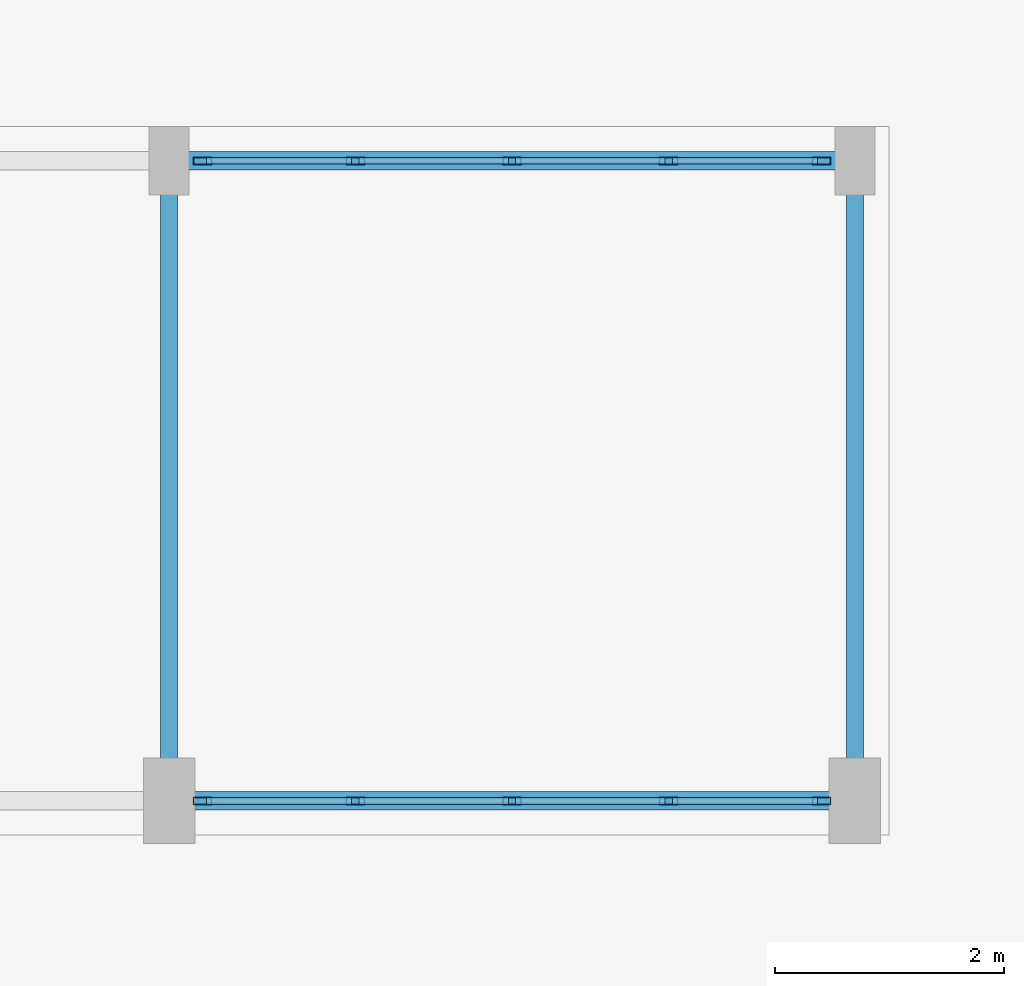
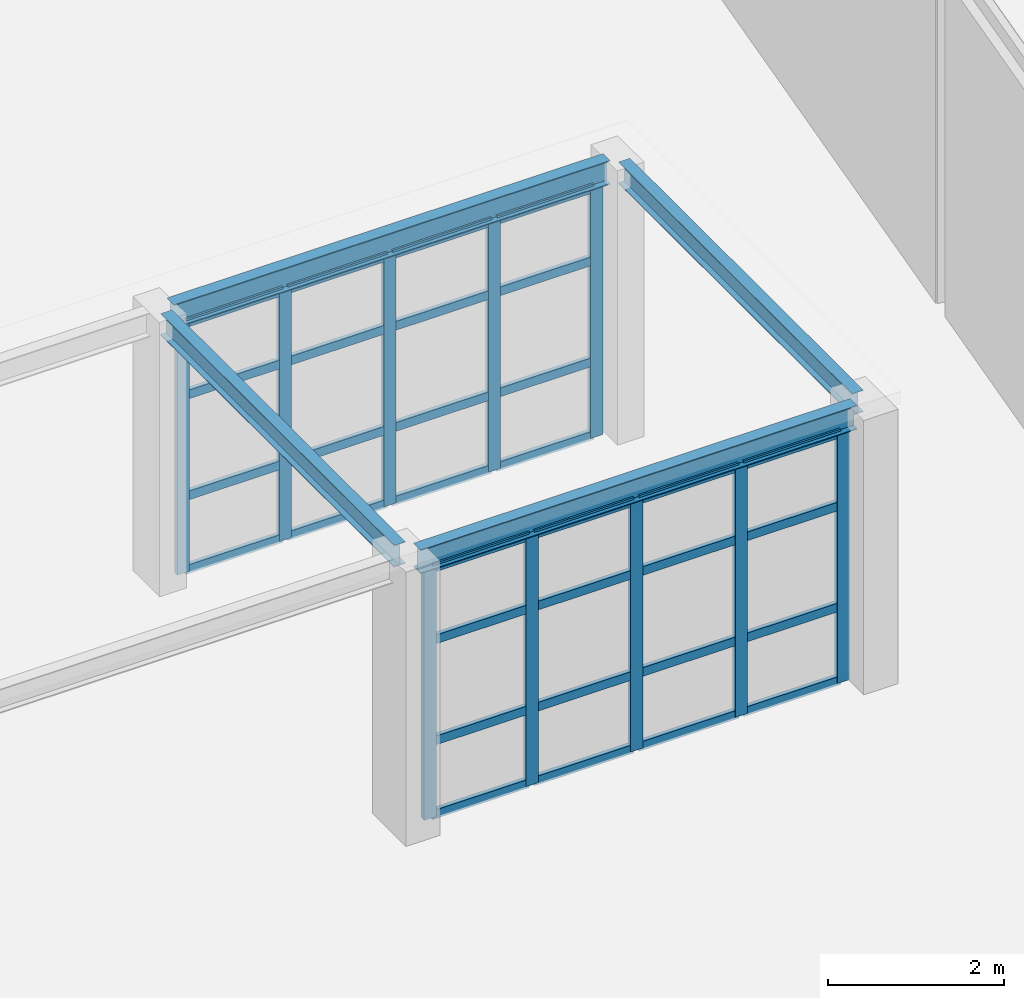
# One storey, part 20 of 57: 42 members, 4 beams, 2 elements without a shape of their own.
"""IFC4 building model written with IfcOpenShell, lengths in metres."""

from ifc_helpers import new_model, si_unit, direction, frame, origin, origin_2d, place, context, subcontext, project, spatial, hollow_rectangle, i_section, extrude, material, layer, layer_set, material_profile, profile_set, type_object, element, aggregate, save


model = new_model("IFC4")

# Units and contexts
model_context = context("Model", 3, precision=1e-05, world=origin(), true_north=direction((0.0, 1.0)))
body_context = subcontext(model_context, "Body", "Model", "MODEL_VIEW")
ifc_project = project(units=[si_unit("LENGTHUNIT", "METRE"), si_unit("AREAUNIT", "SQUARE_METRE"), si_unit("VOLUMEUNIT", "CUBIC_METRE"), si_unit("PLANEANGLEUNIT", "RADIAN"), si_unit("MASSUNIT", "GRAM", prefix="KILO")], contexts=[model_context])

# Site, building, storey
site_placement = place(None, origin())
site = spatial("IfcSite", under=ifc_project, at=site_placement, CompositionType="ELEMENT")
building_placement = place(site_placement, origin())
building = spatial("IfcBuilding", under=site, at=building_placement, Name="Kharisveld Research Institute", CompositionType="ELEMENT")
storey_placement = place(building_placement, origin())
storey = spatial("IfcBuildingStorey", under=building, at=storey_placement, Name="L00", CompositionType="ELEMENT", Elevation=0.0)

# Beams
ifc_material_1 = material(Name="Steel S355JR", Category="steel")
ifc_material_profile_1 = material_profile(ifc_material_1, i_section(OverallWidth=0.14990234375, OverallDepth=0.300048828125, WebThickness=0.007080078125, FlangeThickness=0.0107421875, at=origin_2d()))
ifc_profile_set_1 = profile_set([ifc_material_profile_1], Name="Steel S355JR")
beam_type_1 = type_object("IfcBeamType", Name="BM_ST_IPE300", PredefinedType="BEAM", material=ifc_profile_set_1)
for number, where, z_axis, x_axis, name in (
    (1, (66.5, 26.14990234375, 3.64990234375), (0.0, 1.0, 0.0), (-1.0, 0.0, 0.0), "BM:ARC:L00:TR_4"),
    (2, (72.5, 26.14990234375, 3.64990234375), (0.0, 1.0, 0.0), (-1.0, 0.0, 0.0), "BM:ARC:L00:TR_5"),
):
    element("IfcBeam", number, at=place(storey_placement, frame(where, z_axis=z_axis, x_axis=x_axis)), inside=storey, type_object=beam_type_1, Name=name, PredefinedType="BEAM", context=body_context, shape_type="SweptSolid", body=[
        extrude(i_section(OverallWidth=0.14990234375, OverallDepth=0.300048828125, WebThickness=0.007080078125, FlangeThickness=0.0107421875, at=origin_2d()), origin(), (0.0, 0.0, 1.0), 5.300048828125),
    ])
ifc_material_2 = material(Name="Steel S355JR", Category="steel")
ifc_material_profile_2 = material_profile(ifc_material_2, i_section(OverallWidth=0.159912109375, OverallDepth=0.330078125, WebThickness=0.007568359375, FlangeThickness=0.011474609375, at=origin_2d()))
ifc_profile_set_2 = profile_set([ifc_material_profile_2], Name="Steel S355JR")
beam_type_2 = type_object("IfcBeamType", Name="BM_ST_IPE330", PredefinedType="BEAM", material=ifc_profile_set_2)
for number, where, z_axis, x_axis, name in (
    (3, (66.639892578125, 26.0, 3.635009765625), (1.0, 0.0, 0.0), (0.0, 1.0, 0.0), "BM:ARC:L00:LN_1_4"),
    (4, (66.639892578125, 31.60009765625, 3.635009765625), (1.0, 0.0, 0.0), (0.0, 1.0, 0.0), "BM:ARC:L00:LN_2_4"),
):
    element("IfcBeam", number, at=place(storey_placement, frame(where, z_axis=z_axis, x_axis=x_axis)), inside=storey, type_object=beam_type_2, Name=name, PredefinedType="BEAM", context=body_context, shape_type="SweptSolid", body=[
        extrude(i_section(OverallWidth=0.159912109375, OverallDepth=0.330078125, WebThickness=0.007568359375, FlangeThickness=0.011474609375, at=origin_2d()), origin(), (0.0, 0.0, 1.0), 5.72021484375),
    ])

# Curtain wall, members
ifc_material_3 = material(Name="Thermally Broken Aluminium Curtain Wall", Category="aluminium")
ifc_layer = layer(ifc_material_3, 0.159912109375)
ifc_layer_set = layer_set([ifc_layer], Name="CW_SYS_02")
curtain_wall_type = type_object("IfcCurtainWallType", Name="CW_SYS_02", PredefinedType="NOTDEFINED", material=ifc_layer_set)
curtain_wall_1_placement = place(storey_placement, origin())
curtain_wall_1 = element("IfcCurtainWall", 5, at=curtain_wall_1_placement, inside=storey, type_object=curtain_wall_type, Name="CW:ARC:L00:S4", PredefinedType="NOTDEFINED")
ifc_material_4 = material(Name="Anodised Aluminium AW-6063-T6", Category="aluminium")
ifc_material_profile_3 = material_profile(ifc_material_4, hollow_rectangle(XDim=0.06494140625, YDim=0.159912109375, WallThickness=0.00390625, at=origin_2d()))
ifc_profile_set_3 = profile_set([ifc_material_profile_3], Name="Anodised Aluminium AW-6063-T6")
member_type_1 = type_object("IfcMemberType", Name="CW_MUL_160", PredefinedType="MULLION", material=ifc_profile_set_3)
member_1_placement = place(storey_placement, frame((72.20751953125, 26.0, 0.0), z_axis=(0.0, 0.0, 1.0), x_axis=(0.0, -1.0, 0.0)))
member_1 = element("IfcMember", 6, at=member_1_placement, type_object=member_type_1, Name="CW-02 mullion 1", PredefinedType="MULLION", context=body_context, shape_type="SweptSolid", body=[
    extrude(hollow_rectangle(XDim=0.06494140625, YDim=0.159912109375, WallThickness=0.00390625, at=origin_2d()), origin(), (0.0, 0.0, 1.0), 3.47998046875),
])
member_2_placement = place(storey_placement, frame((70.8701171875, 26.0, 0.0), z_axis=(0.0, 0.0, 1.0), x_axis=(0.0, -1.0, 0.0)))
member_2 = element("IfcMember", 7, at=member_2_placement, type_object=member_type_1, Name="CW-02 mullion 2", PredefinedType="MULLION", context=body_context, shape_type="SweptSolid", body=[
    extrude(hollow_rectangle(XDim=0.06494140625, YDim=0.159912109375, WallThickness=0.00390625, at=origin_2d()), origin(), (0.0, 0.0, 1.0), 3.47998046875),
])
member_3_placement = place(storey_placement, frame((69.5, 26.0, 0.0), z_axis=(0.0, 0.0, 1.0), x_axis=(0.0, -1.0, 0.0)))
member_3 = element("IfcMember", 8, at=member_3_placement, type_object=member_type_1, Name="CW-02 mullion 3", PredefinedType="MULLION", context=body_context, shape_type="SweptSolid", body=[
    extrude(hollow_rectangle(XDim=0.06494140625, YDim=0.159912109375, WallThickness=0.00390625, at=origin_2d()), origin(), (0.0, 0.0, 1.0), 3.47998046875),
])
member_4_placement = place(storey_placement, frame((68.1298828125, 26.0, 0.0), z_axis=(0.0, 0.0, 1.0), x_axis=(0.0, -1.0, 0.0)))
member_4 = element("IfcMember", 9, at=member_4_placement, type_object=member_type_1, Name="CW-02 mullion 4", PredefinedType="MULLION", context=body_context, shape_type="SweptSolid", body=[
    extrude(hollow_rectangle(XDim=0.06494140625, YDim=0.159912109375, WallThickness=0.00390625, at=origin_2d()), origin(), (0.0, 0.0, 1.0), 3.47998046875),
])
member_5_placement = place(storey_placement, frame((66.79248046875, 26.0, 0.0), z_axis=(0.0, 0.0, 1.0), x_axis=(0.0, -1.0, 0.0)))
member_5 = element("IfcMember", 10, at=member_5_placement, type_object=member_type_1, Name="CW-02 mullion 5", PredefinedType="MULLION", context=body_context, shape_type="SweptSolid", body=[
    extrude(hollow_rectangle(XDim=0.06494140625, YDim=0.159912109375, WallThickness=0.00390625, at=origin_2d()), origin(), (0.0, 0.0, 1.0), 3.47998046875),
])

curtain_wall_2_placement = place(storey_placement, origin())
curtain_wall_2 = element("IfcCurtainWall", 11, at=curtain_wall_2_placement, inside=storey, type_object=curtain_wall_type, Name="CW:ARC:L00:N4", PredefinedType="NOTDEFINED")
member_6_placement = place(storey_placement, frame((66.79248046875, 31.60009765625, 0.0), z_axis=(0.0, 0.0, 1.0), x_axis=(0.0, 1.0, 0.0)))
member_6 = element("IfcMember", 12, at=member_6_placement, type_object=member_type_1, Name="CW-02 mullion 1", PredefinedType="MULLION", context=body_context, shape_type="SweptSolid", body=[
    extrude(hollow_rectangle(XDim=0.06494140625, YDim=0.159912109375, WallThickness=0.00390625, at=origin_2d()), origin(), (0.0, 0.0, 1.0), 3.47998046875),
])
member_7_placement = place(storey_placement, frame((68.1298828125, 31.60009765625, 0.0), z_axis=(0.0, 0.0, 1.0), x_axis=(0.0, 1.0, 0.0)))
member_7 = element("IfcMember", 13, at=member_7_placement, type_object=member_type_1, Name="CW-02 mullion 2", PredefinedType="MULLION", context=body_context, shape_type="SweptSolid", body=[
    extrude(hollow_rectangle(XDim=0.06494140625, YDim=0.159912109375, WallThickness=0.00390625, at=origin_2d()), origin(), (0.0, 0.0, 1.0), 3.47998046875),
])
member_8_placement = place(storey_placement, frame((69.5, 31.60009765625, 0.0), z_axis=(0.0, 0.0, 1.0), x_axis=(0.0, 1.0, 0.0)))
member_8 = element("IfcMember", 14, at=member_8_placement, type_object=member_type_1, Name="CW-02 mullion 3", PredefinedType="MULLION", context=body_context, shape_type="SweptSolid", body=[
    extrude(hollow_rectangle(XDim=0.06494140625, YDim=0.159912109375, WallThickness=0.00390625, at=origin_2d()), origin(), (0.0, 0.0, 1.0), 3.47998046875),
])
member_9_placement = place(storey_placement, frame((70.8701171875, 31.60009765625, 0.0), z_axis=(0.0, 0.0, 1.0), x_axis=(0.0, 1.0, 0.0)))
member_9 = element("IfcMember", 15, at=member_9_placement, type_object=member_type_1, Name="CW-02 mullion 4", PredefinedType="MULLION", context=body_context, shape_type="SweptSolid", body=[
    extrude(hollow_rectangle(XDim=0.06494140625, YDim=0.159912109375, WallThickness=0.00390625, at=origin_2d()), origin(), (0.0, 0.0, 1.0), 3.47998046875),
])
member_10_placement = place(storey_placement, frame((72.20751953125, 31.60009765625, 0.0), z_axis=(0.0, 0.0, 1.0), x_axis=(0.0, 1.0, 0.0)))
member_10 = element("IfcMember", 16, at=member_10_placement, type_object=member_type_1, Name="CW-02 mullion 5", PredefinedType="MULLION", context=body_context, shape_type="SweptSolid", body=[
    extrude(hollow_rectangle(XDim=0.06494140625, YDim=0.159912109375, WallThickness=0.00390625, at=origin_2d()), origin(), (0.0, 0.0, 1.0), 3.47998046875),
])

# Member
ifc_material_5 = material(Name="Anodised Aluminium AW-6063-T6", Category="aluminium")
ifc_material_profile_4 = material_profile(ifc_material_5, hollow_rectangle(XDim=0.06005859375, YDim=0.1201171875, WallThickness=0.00390625, at=origin_2d()))
ifc_profile_set_4 = profile_set([ifc_material_profile_4], Name="Anodised Aluminium AW-6063-T6")
member_type_2 = type_object("IfcMemberType", Name="CW_TRN_120", PredefinedType="USERDEFINED", material=ifc_profile_set_4)
member_11_placement = place(storey_placement, frame((72.175048828125, 26.0, 0.030029296875), z_axis=(-1.0, 0.0, 0.0), x_axis=(0.0, -1.0, 0.0)))
member_11 = element("IfcMember", 17, at=member_11_placement, type_object=member_type_2, Name="CW-02 transom 1.1", ObjectType="TRANSOM", PredefinedType="USERDEFINED", context=body_context, shape_type="SweptSolid", body=[
    extrude(hollow_rectangle(XDim=0.06005859375, YDim=0.1201171875, WallThickness=0.00390625, at=origin_2d()), origin(), (0.0, 0.0, 1.0), 1.2724609375),
])

member_12_placement = place(storey_placement, frame((72.175048828125, 26.0, 1.050048828125), z_axis=(-1.0, 0.0, 0.0), x_axis=(0.0, -1.0, 0.0)))
member_12 = element("IfcMember", 18, at=member_12_placement, type_object=member_type_2, Name="CW-02 transom 1.2", ObjectType="TRANSOM", PredefinedType="USERDEFINED", context=body_context, shape_type="SweptSolid", body=[
    extrude(hollow_rectangle(XDim=0.06005859375, YDim=0.1201171875, WallThickness=0.00390625, at=origin_2d()), origin(), (0.0, 0.0, 1.0), 1.2724609375),
])

member_13_placement = place(storey_placement, frame((72.175048828125, 26.0, 2.449951171875), z_axis=(-1.0, 0.0, 0.0), x_axis=(0.0, -1.0, 0.0)))
member_13 = element("IfcMember", 19, at=member_13_placement, type_object=member_type_2, Name="CW-02 transom 1.3", ObjectType="TRANSOM", PredefinedType="USERDEFINED", context=body_context, shape_type="SweptSolid", body=[
    extrude(hollow_rectangle(XDim=0.06005859375, YDim=0.1201171875, WallThickness=0.00390625, at=origin_2d()), origin(), (0.0, 0.0, 1.0), 1.2724609375),
])

member_14_placement = place(storey_placement, frame((72.175048828125, 26.0, 3.449951171875), z_axis=(-1.0, 0.0, 0.0), x_axis=(0.0, -1.0, 0.0)))
member_14 = element("IfcMember", 20, at=member_14_placement, type_object=member_type_2, Name="CW-02 transom 1.4", ObjectType="TRANSOM", PredefinedType="USERDEFINED", context=body_context, shape_type="SweptSolid", body=[
    extrude(hollow_rectangle(XDim=0.06005859375, YDim=0.1201171875, WallThickness=0.00390625, at=origin_2d()), origin(), (0.0, 0.0, 1.0), 1.2724609375),
])

member_15_placement = place(storey_placement, frame((70.83740234375, 26.0, 0.030029296875), z_axis=(-1.0, 0.0, 0.0), x_axis=(0.0, -1.0, 0.0)))
member_15 = element("IfcMember", 21, at=member_15_placement, type_object=member_type_2, Name="CW-02 transom 2.1", ObjectType="TRANSOM", PredefinedType="USERDEFINED", context=body_context, shape_type="SweptSolid", body=[
    extrude(hollow_rectangle(XDim=0.06005859375, YDim=0.1201171875, WallThickness=0.00390625, at=origin_2d()), origin(), (0.0, 0.0, 1.0), 1.304931640625),
])

member_16_placement = place(storey_placement, frame((70.83740234375, 26.0, 1.050048828125), z_axis=(-1.0, 0.0, 0.0), x_axis=(0.0, -1.0, 0.0)))
member_16 = element("IfcMember", 22, at=member_16_placement, type_object=member_type_2, Name="CW-02 transom 2.2", ObjectType="TRANSOM", PredefinedType="USERDEFINED", context=body_context, shape_type="SweptSolid", body=[
    extrude(hollow_rectangle(XDim=0.06005859375, YDim=0.1201171875, WallThickness=0.00390625, at=origin_2d()), origin(), (0.0, 0.0, 1.0), 1.304931640625),
])

member_17_placement = place(storey_placement, frame((70.83740234375, 26.0, 2.449951171875), z_axis=(-1.0, 0.0, 0.0), x_axis=(0.0, -1.0, 0.0)))
member_17 = element("IfcMember", 23, at=member_17_placement, type_object=member_type_2, Name="CW-02 transom 2.3", ObjectType="TRANSOM", PredefinedType="USERDEFINED", context=body_context, shape_type="SweptSolid", body=[
    extrude(hollow_rectangle(XDim=0.06005859375, YDim=0.1201171875, WallThickness=0.00390625, at=origin_2d()), origin(), (0.0, 0.0, 1.0), 1.304931640625),
])

member_18_placement = place(storey_placement, frame((70.83740234375, 26.0, 3.449951171875), z_axis=(-1.0, 0.0, 0.0), x_axis=(0.0, -1.0, 0.0)))
member_18 = element("IfcMember", 24, at=member_18_placement, type_object=member_type_2, Name="CW-02 transom 2.4", ObjectType="TRANSOM", PredefinedType="USERDEFINED", context=body_context, shape_type="SweptSolid", body=[
    extrude(hollow_rectangle(XDim=0.06005859375, YDim=0.1201171875, WallThickness=0.00390625, at=origin_2d()), origin(), (0.0, 0.0, 1.0), 1.304931640625),
])

member_19_placement = place(storey_placement, frame((69.467529296875, 26.0, 0.030029296875), z_axis=(-1.0, 0.0, 0.0), x_axis=(0.0, -1.0, 0.0)))
member_19 = element("IfcMember", 25, at=member_19_placement, type_object=member_type_2, Name="CW-02 transom 3.1", ObjectType="TRANSOM", PredefinedType="USERDEFINED", context=body_context, shape_type="SweptSolid", body=[
    extrude(hollow_rectangle(XDim=0.06005859375, YDim=0.1201171875, WallThickness=0.00390625, at=origin_2d()), origin(), (0.0, 0.0, 1.0), 1.304931640625),
])

member_20_placement = place(storey_placement, frame((69.467529296875, 26.0, 1.050048828125), z_axis=(-1.0, 0.0, 0.0), x_axis=(0.0, -1.0, 0.0)))
member_20 = element("IfcMember", 26, at=member_20_placement, type_object=member_type_2, Name="CW-02 transom 3.2", ObjectType="TRANSOM", PredefinedType="USERDEFINED", context=body_context, shape_type="SweptSolid", body=[
    extrude(hollow_rectangle(XDim=0.06005859375, YDim=0.1201171875, WallThickness=0.00390625, at=origin_2d()), origin(), (0.0, 0.0, 1.0), 1.304931640625),
])

member_21_placement = place(storey_placement, frame((69.467529296875, 26.0, 2.449951171875), z_axis=(-1.0, 0.0, 0.0), x_axis=(0.0, -1.0, 0.0)))
member_21 = element("IfcMember", 27, at=member_21_placement, type_object=member_type_2, Name="CW-02 transom 3.3", ObjectType="TRANSOM", PredefinedType="USERDEFINED", context=body_context, shape_type="SweptSolid", body=[
    extrude(hollow_rectangle(XDim=0.06005859375, YDim=0.1201171875, WallThickness=0.00390625, at=origin_2d()), origin(), (0.0, 0.0, 1.0), 1.304931640625),
])

member_22_placement = place(storey_placement, frame((69.467529296875, 26.0, 3.449951171875), z_axis=(-1.0, 0.0, 0.0), x_axis=(0.0, -1.0, 0.0)))
member_22 = element("IfcMember", 28, at=member_22_placement, type_object=member_type_2, Name="CW-02 transom 3.4", ObjectType="TRANSOM", PredefinedType="USERDEFINED", context=body_context, shape_type="SweptSolid", body=[
    extrude(hollow_rectangle(XDim=0.06005859375, YDim=0.1201171875, WallThickness=0.00390625, at=origin_2d()), origin(), (0.0, 0.0, 1.0), 1.304931640625),
])

member_23_placement = place(storey_placement, frame((68.097412109375, 26.0, 0.030029296875), z_axis=(-1.0, 0.0, 0.0), x_axis=(0.0, -1.0, 0.0)))
member_23 = element("IfcMember", 29, at=member_23_placement, type_object=member_type_2, Name="CW-02 transom 4.1", ObjectType="TRANSOM", PredefinedType="USERDEFINED", context=body_context, shape_type="SweptSolid", body=[
    extrude(hollow_rectangle(XDim=0.06005859375, YDim=0.1201171875, WallThickness=0.00390625, at=origin_2d()), origin(), (0.0, 0.0, 1.0), 1.2724609375),
])

member_24_placement = place(storey_placement, frame((68.097412109375, 26.0, 1.050048828125), z_axis=(-1.0, 0.0, 0.0), x_axis=(0.0, -1.0, 0.0)))
member_24 = element("IfcMember", 30, at=member_24_placement, type_object=member_type_2, Name="CW-02 transom 4.2", ObjectType="TRANSOM", PredefinedType="USERDEFINED", context=body_context, shape_type="SweptSolid", body=[
    extrude(hollow_rectangle(XDim=0.06005859375, YDim=0.1201171875, WallThickness=0.00390625, at=origin_2d()), origin(), (0.0, 0.0, 1.0), 1.2724609375),
])

member_25_placement = place(storey_placement, frame((68.097412109375, 26.0, 2.449951171875), z_axis=(-1.0, 0.0, 0.0), x_axis=(0.0, -1.0, 0.0)))
member_25 = element("IfcMember", 31, at=member_25_placement, type_object=member_type_2, Name="CW-02 transom 4.3", ObjectType="TRANSOM", PredefinedType="USERDEFINED", context=body_context, shape_type="SweptSolid", body=[
    extrude(hollow_rectangle(XDim=0.06005859375, YDim=0.1201171875, WallThickness=0.00390625, at=origin_2d()), origin(), (0.0, 0.0, 1.0), 1.2724609375),
])

member_26_placement = place(storey_placement, frame((68.097412109375, 26.0, 3.449951171875), z_axis=(-1.0, 0.0, 0.0), x_axis=(0.0, -1.0, 0.0)))
member_26 = element("IfcMember", 32, at=member_26_placement, type_object=member_type_2, Name="CW-02 transom 4.4", ObjectType="TRANSOM", PredefinedType="USERDEFINED", context=body_context, shape_type="SweptSolid", body=[
    extrude(hollow_rectangle(XDim=0.06005859375, YDim=0.1201171875, WallThickness=0.00390625, at=origin_2d()), origin(), (0.0, 0.0, 1.0), 1.2724609375),
])

aggregate(curtain_wall_1, [member_1, member_2, member_3, member_4, member_5, member_11, member_12, member_13, member_14, member_15, member_16, member_17, member_18, member_19, member_20, member_21, member_22, member_23, member_24, member_25, member_26])

member_27_placement = place(storey_placement, frame((66.824951171875, 31.60009765625, 0.030029296875), z_axis=(1.0, 0.0, 0.0), x_axis=(0.0, 1.0, 0.0)))
member_27 = element("IfcMember", 33, at=member_27_placement, type_object=member_type_2, Name="CW-02 transom 1.1", ObjectType="TRANSOM", PredefinedType="USERDEFINED", context=body_context, shape_type="SweptSolid", body=[
    extrude(hollow_rectangle(XDim=0.06005859375, YDim=0.1201171875, WallThickness=0.00390625, at=origin_2d()), origin(), (0.0, 0.0, 1.0), 1.2724609375),
])

member_28_placement = place(storey_placement, frame((66.824951171875, 31.60009765625, 1.050048828125), z_axis=(1.0, 0.0, 0.0), x_axis=(0.0, 1.0, 0.0)))
member_28 = element("IfcMember", 34, at=member_28_placement, type_object=member_type_2, Name="CW-02 transom 1.2", ObjectType="TRANSOM", PredefinedType="USERDEFINED", context=body_context, shape_type="SweptSolid", body=[
    extrude(hollow_rectangle(XDim=0.06005859375, YDim=0.1201171875, WallThickness=0.00390625, at=origin_2d()), origin(), (0.0, 0.0, 1.0), 1.2724609375),
])

member_29_placement = place(storey_placement, frame((66.824951171875, 31.60009765625, 2.449951171875), z_axis=(1.0, 0.0, 0.0), x_axis=(0.0, 1.0, 0.0)))
member_29 = element("IfcMember", 35, at=member_29_placement, type_object=member_type_2, Name="CW-02 transom 1.3", ObjectType="TRANSOM", PredefinedType="USERDEFINED", context=body_context, shape_type="SweptSolid", body=[
    extrude(hollow_rectangle(XDim=0.06005859375, YDim=0.1201171875, WallThickness=0.00390625, at=origin_2d()), origin(), (0.0, 0.0, 1.0), 1.2724609375),
])

member_30_placement = place(storey_placement, frame((66.824951171875, 31.60009765625, 3.449951171875), z_axis=(1.0, 0.0, 0.0), x_axis=(0.0, 1.0, 0.0)))
member_30 = element("IfcMember", 36, at=member_30_placement, type_object=member_type_2, Name="CW-02 transom 1.4", ObjectType="TRANSOM", PredefinedType="USERDEFINED", context=body_context, shape_type="SweptSolid", body=[
    extrude(hollow_rectangle(XDim=0.06005859375, YDim=0.1201171875, WallThickness=0.00390625, at=origin_2d()), origin(), (0.0, 0.0, 1.0), 1.2724609375),
])

member_31_placement = place(storey_placement, frame((68.16259765625, 31.60009765625, 0.030029296875), z_axis=(1.0, 0.0, 0.0), x_axis=(0.0, 1.0, 0.0)))
member_31 = element("IfcMember", 37, at=member_31_placement, type_object=member_type_2, Name="CW-02 transom 2.1", ObjectType="TRANSOM", PredefinedType="USERDEFINED", context=body_context, shape_type="SweptSolid", body=[
    extrude(hollow_rectangle(XDim=0.06005859375, YDim=0.1201171875, WallThickness=0.00390625, at=origin_2d()), origin(), (0.0, 0.0, 1.0), 1.304931640625),
])

member_32_placement = place(storey_placement, frame((68.16259765625, 31.60009765625, 1.050048828125), z_axis=(1.0, 0.0, 0.0), x_axis=(0.0, 1.0, 0.0)))
member_32 = element("IfcMember", 38, at=member_32_placement, type_object=member_type_2, Name="CW-02 transom 2.2", ObjectType="TRANSOM", PredefinedType="USERDEFINED", context=body_context, shape_type="SweptSolid", body=[
    extrude(hollow_rectangle(XDim=0.06005859375, YDim=0.1201171875, WallThickness=0.00390625, at=origin_2d()), origin(), (0.0, 0.0, 1.0), 1.304931640625),
])

member_33_placement = place(storey_placement, frame((68.16259765625, 31.60009765625, 2.449951171875), z_axis=(1.0, 0.0, 0.0), x_axis=(0.0, 1.0, 0.0)))
member_33 = element("IfcMember", 39, at=member_33_placement, type_object=member_type_2, Name="CW-02 transom 2.3", ObjectType="TRANSOM", PredefinedType="USERDEFINED", context=body_context, shape_type="SweptSolid", body=[
    extrude(hollow_rectangle(XDim=0.06005859375, YDim=0.1201171875, WallThickness=0.00390625, at=origin_2d()), origin(), (0.0, 0.0, 1.0), 1.304931640625),
])

member_34_placement = place(storey_placement, frame((68.16259765625, 31.60009765625, 3.449951171875), z_axis=(1.0, 0.0, 0.0), x_axis=(0.0, 1.0, 0.0)))
member_34 = element("IfcMember", 40, at=member_34_placement, type_object=member_type_2, Name="CW-02 transom 2.4", ObjectType="TRANSOM", PredefinedType="USERDEFINED", context=body_context, shape_type="SweptSolid", body=[
    extrude(hollow_rectangle(XDim=0.06005859375, YDim=0.1201171875, WallThickness=0.00390625, at=origin_2d()), origin(), (0.0, 0.0, 1.0), 1.304931640625),
])

member_35_placement = place(storey_placement, frame((69.532470703125, 31.60009765625, 0.030029296875), z_axis=(1.0, 0.0, 0.0), x_axis=(0.0, 1.0, 0.0)))
member_35 = element("IfcMember", 41, at=member_35_placement, type_object=member_type_2, Name="CW-02 transom 3.1", ObjectType="TRANSOM", PredefinedType="USERDEFINED", context=body_context, shape_type="SweptSolid", body=[
    extrude(hollow_rectangle(XDim=0.06005859375, YDim=0.1201171875, WallThickness=0.00390625, at=origin_2d()), origin(), (0.0, 0.0, 1.0), 1.304931640625),
])

member_36_placement = place(storey_placement, frame((69.532470703125, 31.60009765625, 1.050048828125), z_axis=(1.0, 0.0, 0.0), x_axis=(0.0, 1.0, 0.0)))
member_36 = element("IfcMember", 42, at=member_36_placement, type_object=member_type_2, Name="CW-02 transom 3.2", ObjectType="TRANSOM", PredefinedType="USERDEFINED", context=body_context, shape_type="SweptSolid", body=[
    extrude(hollow_rectangle(XDim=0.06005859375, YDim=0.1201171875, WallThickness=0.00390625, at=origin_2d()), origin(), (0.0, 0.0, 1.0), 1.304931640625),
])

member_37_placement = place(storey_placement, frame((69.532470703125, 31.60009765625, 2.449951171875), z_axis=(1.0, 0.0, 0.0), x_axis=(0.0, 1.0, 0.0)))
member_37 = element("IfcMember", 43, at=member_37_placement, type_object=member_type_2, Name="CW-02 transom 3.3", ObjectType="TRANSOM", PredefinedType="USERDEFINED", context=body_context, shape_type="SweptSolid", body=[
    extrude(hollow_rectangle(XDim=0.06005859375, YDim=0.1201171875, WallThickness=0.00390625, at=origin_2d()), origin(), (0.0, 0.0, 1.0), 1.304931640625),
])

member_38_placement = place(storey_placement, frame((69.532470703125, 31.60009765625, 3.449951171875), z_axis=(1.0, 0.0, 0.0), x_axis=(0.0, 1.0, 0.0)))
member_38 = element("IfcMember", 44, at=member_38_placement, type_object=member_type_2, Name="CW-02 transom 3.4", ObjectType="TRANSOM", PredefinedType="USERDEFINED", context=body_context, shape_type="SweptSolid", body=[
    extrude(hollow_rectangle(XDim=0.06005859375, YDim=0.1201171875, WallThickness=0.00390625, at=origin_2d()), origin(), (0.0, 0.0, 1.0), 1.304931640625),
])

member_39_placement = place(storey_placement, frame((70.902587890625, 31.60009765625, 0.030029296875), z_axis=(1.0, 0.0, 0.0), x_axis=(0.0, 1.0, 0.0)))
member_39 = element("IfcMember", 45, at=member_39_placement, type_object=member_type_2, Name="CW-02 transom 4.1", ObjectType="TRANSOM", PredefinedType="USERDEFINED", context=body_context, shape_type="SweptSolid", body=[
    extrude(hollow_rectangle(XDim=0.06005859375, YDim=0.1201171875, WallThickness=0.00390625, at=origin_2d()), origin(), (0.0, 0.0, 1.0), 1.2724609375),
])

member_40_placement = place(storey_placement, frame((70.902587890625, 31.60009765625, 1.050048828125), z_axis=(1.0, 0.0, 0.0), x_axis=(0.0, 1.0, 0.0)))
member_40 = element("IfcMember", 46, at=member_40_placement, type_object=member_type_2, Name="CW-02 transom 4.2", ObjectType="TRANSOM", PredefinedType="USERDEFINED", context=body_context, shape_type="SweptSolid", body=[
    extrude(hollow_rectangle(XDim=0.06005859375, YDim=0.1201171875, WallThickness=0.00390625, at=origin_2d()), origin(), (0.0, 0.0, 1.0), 1.2724609375),
])

member_41_placement = place(storey_placement, frame((70.902587890625, 31.60009765625, 2.449951171875), z_axis=(1.0, 0.0, 0.0), x_axis=(0.0, 1.0, 0.0)))
member_41 = element("IfcMember", 47, at=member_41_placement, type_object=member_type_2, Name="CW-02 transom 4.3", ObjectType="TRANSOM", PredefinedType="USERDEFINED", context=body_context, shape_type="SweptSolid", body=[
    extrude(hollow_rectangle(XDim=0.06005859375, YDim=0.1201171875, WallThickness=0.00390625, at=origin_2d()), origin(), (0.0, 0.0, 1.0), 1.2724609375),
])

member_42_placement = place(storey_placement, frame((70.902587890625, 31.60009765625, 3.449951171875), z_axis=(1.0, 0.0, 0.0), x_axis=(0.0, 1.0, 0.0)))
member_42 = element("IfcMember", 48, at=member_42_placement, type_object=member_type_2, Name="CW-02 transom 4.4", ObjectType="TRANSOM", PredefinedType="USERDEFINED", context=body_context, shape_type="SweptSolid", body=[
    extrude(hollow_rectangle(XDim=0.06005859375, YDim=0.1201171875, WallThickness=0.00390625, at=origin_2d()), origin(), (0.0, 0.0, 1.0), 1.2724609375),
])

aggregate(curtain_wall_2, [member_6, member_7, member_8, member_9, member_10, member_27, member_28, member_29, member_30, member_31, member_32, member_33, member_34, member_35, member_36, member_37, member_38, member_39, member_40, member_41, member_42])

save(model, "model.ifc")
